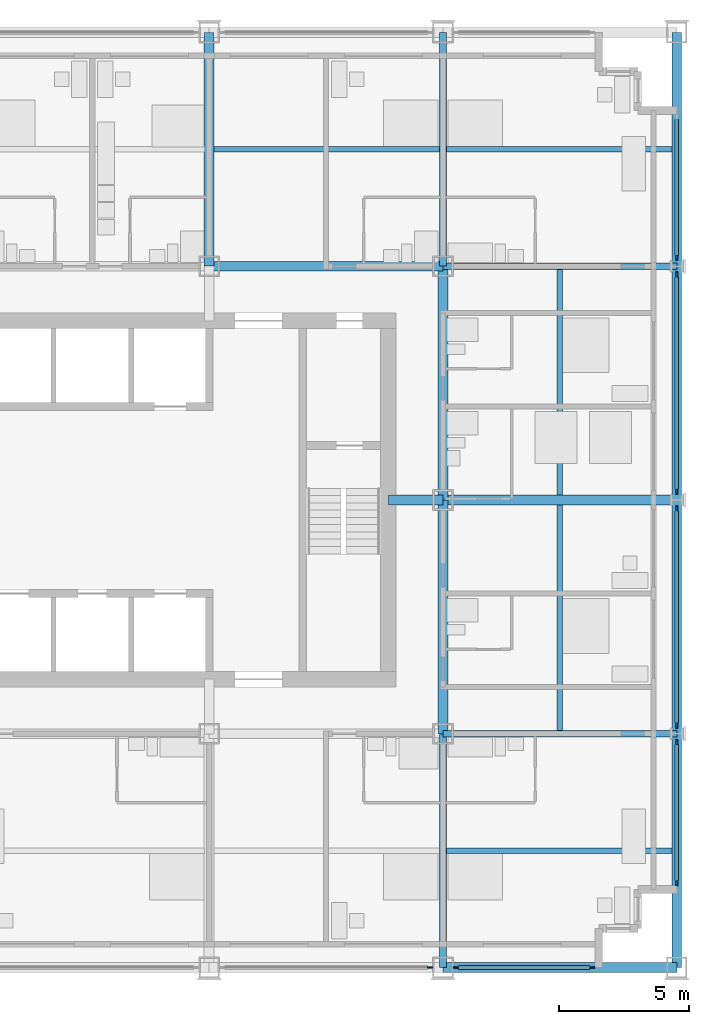
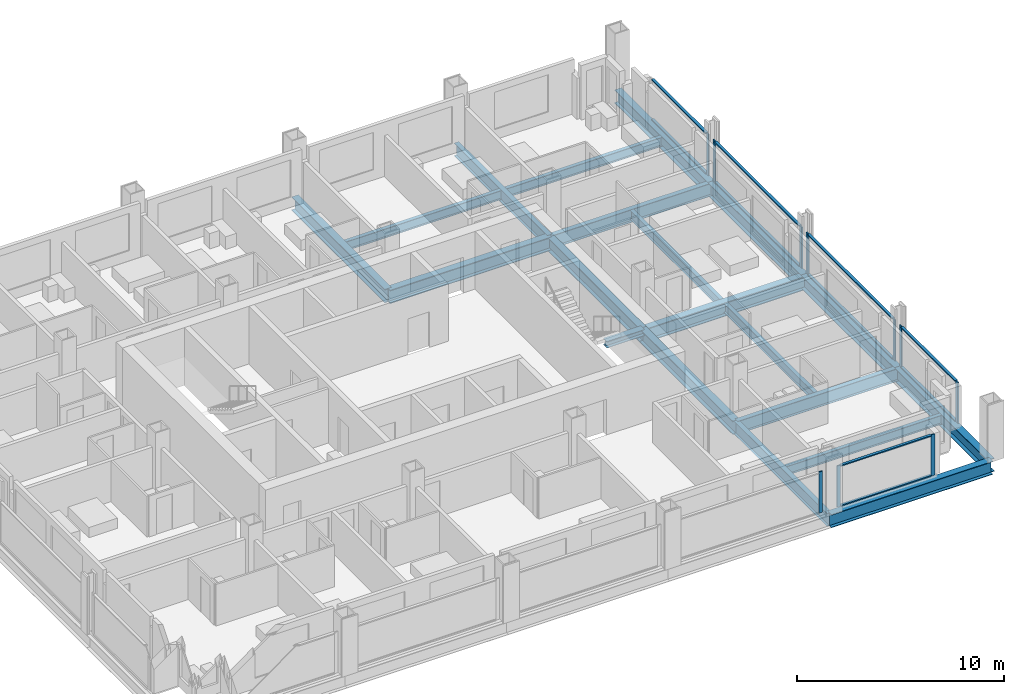
# One storey, part 5 of 17: 21 members, 19 beams, 6 elements without a shape of their own.
"""IFC4 building model written with IfcOpenShell, lengths in metres."""

import ifcopenshell
import ifcopenshell.guid

model = None  # the IFC model being written
_history = None  # IfcOwnerHistory: only IFC2X3 demands one
_inside = {}  # id of a spatial element -> (the spatial element, [elements in it])
_under = {}  # id of a project, library or spatial element -> (it, [spatial elements below it])
_declared = {}  # id of a project -> (the project, [libraries it declares])
_typed = {}  # id of a type object -> (the type object, [elements of that type])
_made_of = {}  # id of a material, layer set ... -> (it, [elements and type objects made of it])


def new_model(schema):
    """Start an empty IFC model of exactly this schema.

    Asked for "IFC4X3", IfcOpenShell would pick the latest addendum, in which some entities
    have other attributes; the version numbers below select the first issue.
    IFC2X3 requires an IfcOwnerHistory on every rooted entity: one is made here for all.
    """
    global model, _history
    if schema == "IFC4X3":
        model = ifcopenshell.file(schema_version=(4, 3, 0, 0))
    else:
        model = ifcopenshell.file(schema=schema)
    _inside.clear()
    _under.clear()
    _declared.clear()
    _typed.clear()
    _made_of.clear()
    _history = None
    if model.schema == "IFC2X3":
        org = make("IfcOrganization", Name="unknown")
        user = make(
            "IfcPersonAndOrganization",
            ThePerson=make("IfcPerson", FamilyName="unknown"),
            TheOrganization=org,
        )
        app = make(
            "IfcApplication",
            ApplicationDeveloper=org,
            Version="unknown",
            ApplicationFullName="unknown",
            ApplicationIdentifier="unknown",
        )
        _history = make(
            "IfcOwnerHistory",
            OwningUser=user,
            OwningApplication=app,
            ChangeAction="ADDED",
            CreationDate=0,
        )
    return model


def make(cls, **values):
    """One entity of the class cls with the attributes given. An attribute that is None is left unset."""
    return model.create_entity(
        cls, **{name: value for name, value in values.items() if value is not None}
    )


def rooted(cls, **values):
    """An entity with a GlobalId (a new one), such as an element, a storey or a relation."""
    return make(cls, GlobalId=ifcopenshell.guid.new(), OwnerHistory=_history, **values)


def si_unit(unit_type, name, prefix=None):
    """IfcSIUnit, for example si_unit("LENGTHUNIT", "METRE", prefix="MILLI")."""
    return make("IfcSIUnit", UnitType=unit_type, Prefix=prefix, Name=name)


def assignment(units):
    """IfcUnitAssignment: the units of a project."""
    return None if units is None else make("IfcUnitAssignment", Units=units)


def point(xyz):
    """IfcCartesianPoint."""
    return None if xyz is None else make("IfcCartesianPoint", Coordinates=xyz)


def direction(xyz):
    """IfcDirection."""
    return None if xyz is None else make("IfcDirection", DirectionRatios=xyz)


def frame(location, z_axis=None, x_axis=None):
    """IfcAxis2Placement3D, a coordinate frame: its origin and axes. An axis left out is left unset."""
    return make(
        "IfcAxis2Placement3D",
        Location=point(location),
        Axis=direction(z_axis),
        RefDirection=direction(x_axis),
    )


def frame_2d(location, x_axis=None):
    """IfcAxis2Placement2D, a coordinate frame in the plane: its origin and x axis."""
    return make(
        "IfcAxis2Placement2D", Location=point(location), RefDirection=direction(x_axis)
    )


def origin():
    """The frame at (0, 0, 0) with its axes left unset."""
    return frame((0.0, 0.0, 0.0))


def origin_2d():
    """The frame at (0, 0) in the plane with its x axis left unset."""
    return frame_2d((0.0, 0.0))


def place(relative_to, where):
    """IfcLocalPlacement: puts the frame where relative to a parent placement (None: the world)."""
    return make(
        "IfcLocalPlacement", PlacementRelTo=relative_to, RelativePlacement=where
    )


def context(
    kind, dimensions, precision=None, world=None, true_north=None, identifier=None
):
    """IfcGeometricRepresentationContext, for example the 3D "Model" context."""
    return make(
        "IfcGeometricRepresentationContext",
        ContextIdentifier=identifier,
        ContextType=kind,
        CoordinateSpaceDimension=dimensions,
        Precision=precision,
        WorldCoordinateSystem=world,
        TrueNorth=true_north,
    )


def subcontext(parent, identifier, kind, view, scale=None):
    """IfcGeometricRepresentationSubContext, for example "Body" below "Model"."""
    return make(
        "IfcGeometricRepresentationSubContext",
        ContextIdentifier=identifier,
        ContextType=kind,
        ParentContext=parent,
        TargetScale=scale,
        TargetView=view,
    )


def project(units=None, contexts=None):
    """IfcProject with its units and contexts."""
    return rooted(
        "IfcProject",
        Name="project",
        RepresentationContexts=contexts,
        UnitsInContext=assignment(units),
    )


def spatial(cls, under=None, at=None, **own):
    """A site, building, storey or space (cls), placed at a placement, below another one or the project."""
    s = rooted(cls, ObjectPlacement=at, **own)
    if under is not None:
        _under.setdefault(under.id(), (under, []))[1].append(s)
    return s


def profile(cls, at=None, kind="AREA", **sizes):
    """A parametric profile (cls). Its sizes go by their IFC names, for example OverallWidth=200.0."""
    return make(cls, ProfileType=kind, Position=at, **sizes)


def rectangle(**sizes):
    """IfcRectangleProfileDef."""
    return profile("IfcRectangleProfileDef", **sizes)


def i_section(**sizes):
    """IfcIShapeProfileDef."""
    return profile("IfcIShapeProfileDef", **sizes)


def extrude(swept, where, along, depth):
    """IfcExtrudedAreaSolid: the profile swept, set in the frame where, extruded along a direction by depth."""
    return make(
        "IfcExtrudedAreaSolid",
        SweptArea=swept,
        Position=where,
        ExtrudedDirection=direction(along),
        Depth=depth,
    )


def shape(context_of_items, identifier, shape_type, items):
    """IfcShapeRepresentation: the items that make up one representation, for example the "Body"."""
    return make(
        "IfcShapeRepresentation",
        ContextOfItems=context_of_items,
        RepresentationIdentifier=identifier,
        RepresentationType=shape_type,
        Items=items,
    )


def material(Name=None, Category=None):
    """IfcMaterial."""
    return make("IfcMaterial", Name=Name, Category=Category)


def material_profile(
    of_material, cross_section, Name=None, Category=None, Priority=None
):
    """IfcMaterialProfile: a cross section and its material."""
    return make(
        "IfcMaterialProfile",
        Name=Name,
        Material=of_material,
        Profile=cross_section,
        Priority=Priority,
        Category=Category,
    )


def profile_set(profiles, Name=None, composite=None):
    """IfcMaterialProfileSet."""
    return make(
        "IfcMaterialProfileSet",
        Name=Name,
        MaterialProfiles=profiles,
        CompositeProfile=composite,
    )


def made_of(thing, what):
    """Note that an element or type object is made of a material, layer set ...; save() writes the relation."""
    if what is not None:
        _made_of.setdefault(what.id(), (what, []))[1].append(thing)
    return thing


def type_object(cls, material=None, **own):
    """A type object (cls), such as IfcWallType, which elements share."""
    return made_of(rooted(cls, **own), material)


def element(
    cls,
    number,
    at=None,
    inside=None,
    cuts=None,
    type_object=None,
    material=None,
    context=None,
    identifier="Body",
    shape_type=None,
    held_by="IfcProductDefinitionShape",
    body=None,
    shapes=None,
    **own,
):
    """One element of the class cls, such as IfcWall. Its Tag is "e" and its number.

    at: its placement. inside: the storey or other place that contains it. cuts: it is an
    opening in that element (IfcRelVoidsElement). A single representation is given by context,
    identifier, shape_type and body (its items); several are given by shapes. held_by: the class
    of the entity that holds the representations. save() writes the other relations.
    """
    e = rooted(cls, Tag="e%d" % number, ObjectPlacement=at, **own)
    if body is not None:
        shapes = [shape(context, identifier, shape_type, body)]
    if shapes is not None:
        e.Representation = make(held_by, Representations=shapes)
    if inside is not None:
        _inside.setdefault(inside.id(), (inside, []))[1].append(e)
    if cuts is not None:
        rooted(
            "IfcRelVoidsElement", RelatingBuildingElement=cuts, RelatedOpeningElement=e
        )
    if type_object is not None:
        _typed.setdefault(type_object.id(), (type_object, []))[1].append(e)
    return made_of(e, material)


def aggregate(whole, parts):
    """IfcRelAggregates: a whole, such as a stair, and the parts it consists of."""
    return rooted("IfcRelAggregates", RelatingObject=whole, RelatedObjects=parts)


def save(model, path):
    """Write the relations noted so far, then the file.

    IfcRelAggregates (storeys below a building ...), IfcRelContainedInSpatialStructure (elements
    in a storey), IfcRelDefinesByType, IfcRelAssociatesMaterial and IfcRelDeclares: one each for
    every whole, place, type object, material and project.
    """
    for whole, parts in _under.values():
        aggregate(whole, parts)
    for where, things in _inside.values():
        rooted(
            "IfcRelContainedInSpatialStructure",
            RelatedElements=things,
            RelatingStructure=where,
        )
    for kind, things in _typed.values():
        rooted("IfcRelDefinesByType", RelatedObjects=things, RelatingType=kind)
    for what, things in _made_of.values():
        rooted("IfcRelAssociatesMaterial", RelatedObjects=things, RelatingMaterial=what)
    for by, libraries in _declared.values():
        rooted("IfcRelDeclares", RelatingContext=by, RelatedDefinitions=libraries)
    model.write(path)


model = new_model("IFC4")

# Units and contexts
model_context = context("Model", 3, precision=1e-05, world=origin(), true_north=direction((0.0, 1.0)))
body_context = subcontext(model_context, "Body", "Model", "MODEL_VIEW")
ifc_project = project(units=[si_unit("LENGTHUNIT", "METRE"), si_unit("AREAUNIT", "SQUARE_METRE"), si_unit("VOLUMEUNIT", "CUBIC_METRE"), si_unit("PLANEANGLEUNIT", "RADIAN"), si_unit("MASSUNIT", "GRAM", prefix="KILO")], contexts=[model_context])

# Site, building, storey
site_placement = place(None, origin())
site = spatial("IfcSite", under=ifc_project, at=site_placement, CompositionType="ELEMENT")
building_placement = place(site_placement, origin())
building = spatial("IfcBuilding", under=site, at=building_placement, Name="Loomwork Tower", CompositionType="ELEMENT")
storey_placement = place(building_placement, frame((0.0, 0.0, 141.800048828125)))
storey = spatial("IfcBuildingStorey", under=building, at=storey_placement, Name="L38", CompositionType="ELEMENT", Elevation=141.800048828125)

# Beams
ifc_material_1 = material(Name="Steel ASTM A992", Category="steel")
ifc_material_profile_1 = material_profile(ifc_material_1, i_section(OverallWidth=0.383544921875, OverallDepth=0.794921875, WebThickness=0.02099609375, FlangeThickness=0.0380859375, at=origin_2d()), Name="W30x235")
ifc_profile_set_1 = profile_set([ifc_material_profile_1], Name="Steel ASTM A992")
beam_type_1 = type_object("IfcBeamType", Name="CORE FLANK GIRDER W30x235", PredefinedType="BEAM", material=ifc_profile_set_1)
for number, where, z_axis, x_axis, name in (
    (1, (36.0, 18.0, -0.59765625), (1.0, 0.0, 0.0), (0.0, 1.0, 0.0), "Core Flank Girder F/6-F/7 L38"),
    (2, (27.0, 27.0, -0.59765625), (1.0, 0.0, 0.0), (0.0, 1.0, 0.0), "Core Flank Girder G/5-G/6 L38"),
    (3, (27.0, 27.0, -0.59765625), (0.0, 1.0, 0.0), (-1.0, 0.0, 0.0), "Core Flank Girder G/5-H/5 L38"),
    (4, (36.0, 9.0, -0.59765625), (0.0, 1.0, 0.0), (-1.0, 0.0, 0.0), "Core Flank Girder E/6-F/6 L38"),
    (5, (36.0, 18.0, -0.59765625), (0.0, 1.0, 0.0), (-1.0, 0.0, 0.0), "Core Flank Girder F/6-G/6 L38"),
):
    element("IfcBeam", number, at=place(storey_placement, frame(where, z_axis=z_axis, x_axis=x_axis)), inside=storey, type_object=beam_type_1, Name=name, PredefinedType="BEAM", context=body_context, shape_type="SweptSolid", body=[
        extrude(i_section(OverallWidth=0.383544921875, OverallDepth=0.794921875, WebThickness=0.02099609375, FlangeThickness=0.0380859375, at=origin_2d()), origin(), (0.0, 0.0, 1.0), 9.0),
    ])

# Member
ifc_material_2 = material(Name="Steel ASTM A992", Category="steel")
ifc_material_profile_2 = material_profile(ifc_material_2, i_section(OverallWidth=0.373291015625, OverallDepth=0.373291015625, WebThickness=0.016357421875, FlangeThickness=0.026123046875, at=origin_2d()), Name="W14x132")
ifc_profile_set_2 = profile_set([ifc_material_profile_2], Name="Steel ASTM A992")
member_type_1 = type_object("IfcMemberType", Name="CORE LINK STRUT W14x132", PredefinedType="STRUT", material=ifc_profile_set_2)
member_1_placement = place(storey_placement, frame((36.0, 18.0, -0.38671875), z_axis=(-1.0, 0.0, 0.0), x_axis=(0.0, -1.0, 0.0)))
element("IfcMember", 6, at=member_1_placement, inside=storey, type_object=member_type_1, Name="Core link strut F/6-33.900,18.000 L38", PredefinedType="STRUT", context=body_context, shape_type="SweptSolid", body=[
    extrude(i_section(OverallWidth=0.373291015625, OverallDepth=0.373291015625, WebThickness=0.016357421875, FlangeThickness=0.026123046875, at=origin_2d()), origin(), (0.0, 0.0, 1.0), 2.10009765625),
])

# Beams
ifc_material_3 = material(Name="Steel ASTM A992", Category="steel")
ifc_material_profile_3 = material_profile(ifc_material_3, i_section(OverallWidth=0.2666015625, OverallDepth=0.761962890625, WebThickness=0.014404296875, FlangeThickness=0.021484375, at=origin_2d()), Name="W30x116")
ifc_profile_set_3 = profile_set([ifc_material_profile_3], Name="Steel ASTM A992")
beam_type_2 = type_object("IfcBeamType", Name="FLOOR GIRDER W30x116", PredefinedType="BEAM", material=ifc_profile_set_3)
for number, where, z_axis, x_axis, name in (
    (7, (36.0, 9.0, -0.5810546875), (1.0, 0.0, 0.0), (0.0, 1.0, 0.0), "Floor Girder E/6-E/7 L38"),
    (8, (36.0, 27.0, -0.5810546875), (1.0, 0.0, 0.0), (0.0, 1.0, 0.0), "Floor Girder G/6-G/7 L38"),
    (9, (36.0, 0.0, -0.5810546875), (0.0, 1.0, 0.0), (-1.0, 0.0, 0.0), "Floor Girder D/6-E/6 L38"),
    (10, (36.0, 27.0, -0.5810546875), (0.0, 1.0, 0.0), (-1.0, 0.0, 0.0), "Floor Girder G/6-H/6 L38"),
):
    element("IfcBeam", number, at=place(storey_placement, frame(where, z_axis=z_axis, x_axis=x_axis)), inside=storey, type_object=beam_type_2, Name=name, PredefinedType="BEAM", context=body_context, shape_type="SweptSolid", body=[
        extrude(i_section(OverallWidth=0.2666015625, OverallDepth=0.761962890625, WebThickness=0.014404296875, FlangeThickness=0.021484375, at=origin_2d()), origin(), (0.0, 0.0, 1.0), 9.0),
    ])
ifc_material_4 = material(Name="Steel ASTM A992", Category="steel")
ifc_material_profile_4 = material_profile(ifc_material_4, i_section(OverallWidth=0.2109375, OverallDepth=0.53857421875, WebThickness=0.011474609375, FlangeThickness=0.018798828125, at=origin_2d()), Name="W21x73")
ifc_profile_set_4 = profile_set([ifc_material_profile_4], Name="Steel ASTM A992")
beam_type_3 = type_object("IfcBeamType", Name="FLOOR JOIST W21x73", PredefinedType="JOIST", material=ifc_profile_set_4)
beam_1_placement = place(storey_placement, frame((27.19091796875, 31.5, -0.46923828125), z_axis=(1.0, 0.0, 0.0), x_axis=(0.0, 1.0, 0.0)))
element("IfcBeam", 11, at=beam_1_placement, inside=storey, type_object=beam_type_3, Name="Floor Joist 27.000,31.500-36.000,31.500 L38", PredefinedType="JOIST", context=body_context, shape_type="SweptSolid", body=[
    extrude(i_section(OverallWidth=0.2109375, OverallDepth=0.53857421875, WebThickness=0.011474609375, FlangeThickness=0.018798828125, at=origin_2d()), origin(), (0.0, 0.0, 1.0), 8.676025390625),
])
beam_2_placement = place(storey_placement, frame((36.133056640625, 4.5, -0.46923828125), z_axis=(1.0, 0.0, 0.0), x_axis=(0.0, 1.0, 0.0)))
element("IfcBeam", 12, at=beam_2_placement, inside=storey, type_object=beam_type_3, Name="Floor Joist 36.000,4.500-45.000,4.500 L38", PredefinedType="JOIST", context=body_context, shape_type="SweptSolid", body=[
    extrude(i_section(OverallWidth=0.2109375, OverallDepth=0.53857421875, WebThickness=0.011474609375, FlangeThickness=0.018798828125, at=origin_2d()), origin(), (0.0, 0.0, 1.0), 8.677001953125),
])
for number, where, z_axis, x_axis, name in (
    (13, (40.5, 9.133056640625, -0.46923828125), (0.0, 1.0, 0.0), (-1.0, 0.0, 0.0), "Floor Joist 40.500,9.000-40.500,18.000 L38"),
    (14, (40.5, 18.19091796875, -0.46923828125), (0.0, 1.0, 0.0), (-1.0, 0.0, 0.0), "Floor Joist 40.500,18.000-40.500,27.000 L38"),
):
    element("IfcBeam", number, at=place(storey_placement, frame(where, z_axis=z_axis, x_axis=x_axis)), inside=storey, type_object=beam_type_3, Name=name, PredefinedType="JOIST", context=body_context, shape_type="SweptSolid", body=[
        extrude(i_section(OverallWidth=0.2109375, OverallDepth=0.53857421875, WebThickness=0.011474609375, FlangeThickness=0.018798828125, at=origin_2d()), origin(), (0.0, 0.0, 1.0), 8.676025390625),
    ])
beam_3_placement = place(storey_placement, frame((36.133056640625, 31.5, -0.46923828125), z_axis=(1.0, 0.0, 0.0), x_axis=(0.0, 1.0, 0.0)))
element("IfcBeam", 15, at=beam_3_placement, inside=storey, type_object=beam_type_3, Name="Floor Joist 36.000,31.500-45.000,31.500 L38", PredefinedType="JOIST", context=body_context, shape_type="SweptSolid", body=[
    extrude(i_section(OverallWidth=0.2109375, OverallDepth=0.53857421875, WebThickness=0.011474609375, FlangeThickness=0.018798828125, at=origin_2d()), origin(), (0.0, 0.0, 1.0), 8.677001953125),
])

# Curtain wall, member
ifc_material_5 = material(Name="Aluminium curtain wall frame", Category="aluminium")
curtain_wall_type = type_object("IfcCurtainWallType", Name="Outer skin glazing hotel", PredefinedType="NOTDEFINED", material=ifc_material_5)
curtain_wall_1_placement = place(storey_placement, origin())
curtain_wall_1 = element("IfcCurtainWall", 16, at=curtain_wall_1_placement, inside=storey, type_object=curtain_wall_type, Name="Outer skin glazing hotel cw/S-27", PredefinedType="NOTDEFINED")
ifc_material_6 = material(Name="Aluminium curtain wall frame", Category="aluminium")
ifc_material_profile_5 = material_profile(ifc_material_6, rectangle(XDim=0.06494140625, YDim=0.199951171875, at=origin_2d()), Name="AL 65x200")
ifc_profile_set_5 = profile_set([ifc_material_profile_5], Name="Aluminium curtain wall frame")
member_type_2 = type_object("IfcMemberType", Name="Outer skin glazing hotel mullion", PredefinedType="MULLION", material=ifc_profile_set_5)
member_2_placement = place(storey_placement, frame((35.5, 0.0, 0.0), z_axis=(0.0, 0.0, 1.0), x_axis=(0.0, 1.0, 0.0)))
member_2 = element("IfcMember", 17, at=member_2_placement, type_object=member_type_2, Name="CW1 mullion 2", PredefinedType="MULLION", context=body_context, shape_type="SweptSolid", body=[
    extrude(rectangle(XDim=0.06494140625, YDim=0.199951171875, at=origin_2d()), origin(), (0.0, 0.0, 1.0), 2.420166015625),
])
aggregate(curtain_wall_1, [member_2])

# Curtain wall, members
curtain_wall_2_placement = place(storey_placement, origin())
curtain_wall_2 = element("IfcCurtainWall", 18, at=curtain_wall_2_placement, inside=storey, type_object=curtain_wall_type, Name="Outer skin glazing hotel cw/S-36", PredefinedType="NOTDEFINED")
member_3_placement = place(storey_placement, frame((36.5, 0.0, 0.0), z_axis=(0.0, 0.0, 1.0), x_axis=(0.0, 1.0, 0.0)))
member_3 = element("IfcMember", 19, at=member_3_placement, type_object=member_type_2, Name="CW1 mullion 1", PredefinedType="MULLION", context=body_context, shape_type="SweptSolid", body=[
    extrude(rectangle(XDim=0.06494140625, YDim=0.199951171875, at=origin_2d()), origin(), (0.0, 0.0, 1.0), 2.420166015625),
])
member_4_placement = place(storey_placement, frame((41.75, 0.0, 0.0), z_axis=(0.0, 0.0, 1.0), x_axis=(0.0, 1.0, 0.0)))
member_4 = element("IfcMember", 20, at=member_4_placement, type_object=member_type_2, Name="CW1 mullion 2", PredefinedType="MULLION", context=body_context, shape_type="SweptSolid", body=[
    extrude(rectangle(XDim=0.06494140625, YDim=0.199951171875, at=origin_2d()), origin(), (0.0, 0.0, 1.0), 2.420166015625),
])

curtain_wall_3_placement = place(storey_placement, origin())
curtain_wall_3 = element("IfcCurtainWall", 21, at=curtain_wall_3_placement, inside=storey, type_object=curtain_wall_type, Name="Outer skin glazing hotel cw/E-0", PredefinedType="NOTDEFINED")
member_5_placement = place(storey_placement, frame((45.0, 3.25, 0.0), z_axis=(0.0, 0.0, 1.0), x_axis=(-1.0, 0.0, 0.0)))
member_5 = element("IfcMember", 22, at=member_5_placement, type_object=member_type_2, Name="CW1 mullion 1", PredefinedType="MULLION", context=body_context, shape_type="SweptSolid", body=[
    extrude(rectangle(XDim=0.06494140625, YDim=0.199951171875, at=origin_2d()), origin(), (0.0, 0.0, 1.0), 2.420166015625),
])
member_6_placement = place(storey_placement, frame((45.0, 8.678955078125, 0.0), z_axis=(0.0, 0.0, 1.0), x_axis=(-1.0, 0.0, 0.0)))
member_6 = element("IfcMember", 23, at=member_6_placement, type_object=member_type_2, Name="CW1 mullion 2", PredefinedType="MULLION", context=body_context, shape_type="SweptSolid", body=[
    extrude(rectangle(XDim=0.06494140625, YDim=0.199951171875, at=origin_2d()), origin(), (0.0, 0.0, 1.0), 2.420166015625),
])

curtain_wall_4_placement = place(storey_placement, origin())
curtain_wall_4 = element("IfcCurtainWall", 24, at=curtain_wall_4_placement, inside=storey, type_object=curtain_wall_type, Name="Outer skin glazing hotel cw/E-9", PredefinedType="NOTDEFINED")
member_7_placement = place(storey_placement, frame((45.0, 9.321044921875, 0.0), z_axis=(0.0, 0.0, 1.0), x_axis=(-1.0, 0.0, 0.0)))
member_7 = element("IfcMember", 25, at=member_7_placement, type_object=member_type_2, Name="CW1 mullion 1", PredefinedType="MULLION", context=body_context, shape_type="SweptSolid", body=[
    extrude(rectangle(XDim=0.06494140625, YDim=0.199951171875, at=origin_2d()), origin(), (0.0, 0.0, 1.0), 2.420166015625),
])
member_8_placement = place(storey_placement, frame((45.0, 17.678955078125, 0.0), z_axis=(0.0, 0.0, 1.0), x_axis=(-1.0, 0.0, 0.0)))
member_8 = element("IfcMember", 26, at=member_8_placement, type_object=member_type_2, Name="CW1 mullion 2", PredefinedType="MULLION", context=body_context, shape_type="SweptSolid", body=[
    extrude(rectangle(XDim=0.06494140625, YDim=0.199951171875, at=origin_2d()), origin(), (0.0, 0.0, 1.0), 2.420166015625),
])

curtain_wall_5_placement = place(storey_placement, origin())
curtain_wall_5 = element("IfcCurtainWall", 27, at=curtain_wall_5_placement, inside=storey, type_object=curtain_wall_type, Name="Outer skin glazing hotel cw/E-18", PredefinedType="NOTDEFINED")
member_9_placement = place(storey_placement, frame((45.0, 18.321044921875, 0.0), z_axis=(0.0, 0.0, 1.0), x_axis=(-1.0, 0.0, 0.0)))
member_9 = element("IfcMember", 28, at=member_9_placement, type_object=member_type_2, Name="CW1 mullion 1", PredefinedType="MULLION", context=body_context, shape_type="SweptSolid", body=[
    extrude(rectangle(XDim=0.06494140625, YDim=0.199951171875, at=origin_2d()), origin(), (0.0, 0.0, 1.0), 2.420166015625),
])
member_10_placement = place(storey_placement, frame((45.0, 26.678955078125, 0.0), z_axis=(0.0, 0.0, 1.0), x_axis=(-1.0, 0.0, 0.0)))
member_10 = element("IfcMember", 29, at=member_10_placement, type_object=member_type_2, Name="CW1 mullion 2", PredefinedType="MULLION", context=body_context, shape_type="SweptSolid", body=[
    extrude(rectangle(XDim=0.06494140625, YDim=0.199951171875, at=origin_2d()), origin(), (0.0, 0.0, 1.0), 2.420166015625),
])

# Curtain wall, member
curtain_wall_6_placement = place(storey_placement, origin())
curtain_wall_6 = element("IfcCurtainWall", 30, at=curtain_wall_6_placement, inside=storey, type_object=curtain_wall_type, Name="Outer skin glazing hotel cw/E-27", PredefinedType="NOTDEFINED")
member_11_placement = place(storey_placement, frame((45.0, 27.321044921875, 0.0), z_axis=(0.0, 0.0, 1.0), x_axis=(-1.0, 0.0, 0.0)))
member_11 = element("IfcMember", 31, at=member_11_placement, type_object=member_type_2, Name="CW1 mullion 1", PredefinedType="MULLION", context=body_context, shape_type="SweptSolid", body=[
    extrude(rectangle(XDim=0.06494140625, YDim=0.199951171875, at=origin_2d()), origin(), (0.0, 0.0, 1.0), 2.420166015625),
])

# Member
ifc_material_7 = material(Name="Aluminium curtain wall frame", Category="aluminium")
ifc_material_profile_6 = material_profile(ifc_material_7, rectangle(XDim=0.14990234375, YDim=0.06494140625, at=origin_2d()), Name="AL 65x150")
ifc_profile_set_6 = profile_set([ifc_material_profile_6], Name="Aluminium curtain wall frame")
member_type_3 = type_object("IfcMemberType", Name="Outer skin glazing hotel transom", PredefinedType="USERDEFINED", material=ifc_profile_set_6)
member_12_placement = place(storey_placement, frame((36.60009765625, 0.0, 0.032470703125), z_axis=(1.0, 0.0, 0.0), x_axis=(0.0, 1.0, 0.0)))
member_12 = element("IfcMember", 32, at=member_12_placement, type_object=member_type_3, Name="CW1 transom 1.1", ObjectType="TRANSOM", PredefinedType="USERDEFINED", context=body_context, shape_type="SweptSolid", body=[
    extrude(rectangle(XDim=0.14990234375, YDim=0.06494140625, at=origin_2d()), origin(), (0.0, 0.0, 1.0), 5.0498046875),
])

member_13_placement = place(storey_placement, frame((36.60009765625, 0.0, 2.3876953125), z_axis=(1.0, 0.0, 0.0), x_axis=(0.0, 1.0, 0.0)))
member_13 = element("IfcMember", 33, at=member_13_placement, type_object=member_type_3, Name="CW1 transom 1.2", ObjectType="TRANSOM", PredefinedType="USERDEFINED", context=body_context, shape_type="SweptSolid", body=[
    extrude(rectangle(XDim=0.14990234375, YDim=0.06494140625, at=origin_2d()), origin(), (0.0, 0.0, 1.0), 5.0498046875),
])

aggregate(curtain_wall_2, [member_3, member_4, member_12, member_13])

member_14_placement = place(storey_placement, frame((45.0, 3.35009765625, 0.032470703125), z_axis=(0.0, 1.0, 0.0), x_axis=(-1.0, 0.0, 0.0)))
member_14 = element("IfcMember", 34, at=member_14_placement, type_object=member_type_3, Name="CW1 transom 1.1", ObjectType="TRANSOM", PredefinedType="USERDEFINED", context=body_context, shape_type="SweptSolid", body=[
    extrude(rectangle(XDim=0.14990234375, YDim=0.06494140625, at=origin_2d()), origin(), (0.0, 0.0, 1.0), 5.22900390625),
])

member_15_placement = place(storey_placement, frame((45.0, 3.35009765625, 2.3876953125), z_axis=(0.0, 1.0, 0.0), x_axis=(-1.0, 0.0, 0.0)))
member_15 = element("IfcMember", 35, at=member_15_placement, type_object=member_type_3, Name="CW1 transom 1.2", ObjectType="TRANSOM", PredefinedType="USERDEFINED", context=body_context, shape_type="SweptSolid", body=[
    extrude(rectangle(XDim=0.14990234375, YDim=0.06494140625, at=origin_2d()), origin(), (0.0, 0.0, 1.0), 5.22900390625),
])

aggregate(curtain_wall_3, [member_5, member_6, member_14, member_15])

member_16_placement = place(storey_placement, frame((45.0, 9.4208984375, 0.032470703125), z_axis=(0.0, 1.0, 0.0), x_axis=(-1.0, 0.0, 0.0)))
member_16 = element("IfcMember", 36, at=member_16_placement, type_object=member_type_3, Name="CW1 transom 1.1", ObjectType="TRANSOM", PredefinedType="USERDEFINED", context=body_context, shape_type="SweptSolid", body=[
    extrude(rectangle(XDim=0.14990234375, YDim=0.06494140625, at=origin_2d()), origin(), (0.0, 0.0, 1.0), 8.158203125),
])

member_17_placement = place(storey_placement, frame((45.0, 9.4208984375, 2.3876953125), z_axis=(0.0, 1.0, 0.0), x_axis=(-1.0, 0.0, 0.0)))
member_17 = element("IfcMember", 37, at=member_17_placement, type_object=member_type_3, Name="CW1 transom 1.2", ObjectType="TRANSOM", PredefinedType="USERDEFINED", context=body_context, shape_type="SweptSolid", body=[
    extrude(rectangle(XDim=0.14990234375, YDim=0.06494140625, at=origin_2d()), origin(), (0.0, 0.0, 1.0), 8.158203125),
])

aggregate(curtain_wall_4, [member_7, member_8, member_16, member_17])

member_18_placement = place(storey_placement, frame((45.0, 18.4208984375, 0.032470703125), z_axis=(0.0, 1.0, 0.0), x_axis=(-1.0, 0.0, 0.0)))
member_18 = element("IfcMember", 38, at=member_18_placement, type_object=member_type_3, Name="CW1 transom 1.1", ObjectType="TRANSOM", PredefinedType="USERDEFINED", context=body_context, shape_type="SweptSolid", body=[
    extrude(rectangle(XDim=0.14990234375, YDim=0.06494140625, at=origin_2d()), origin(), (0.0, 0.0, 1.0), 8.158203125),
])

member_19_placement = place(storey_placement, frame((45.0, 18.4208984375, 2.3876953125), z_axis=(0.0, 1.0, 0.0), x_axis=(-1.0, 0.0, 0.0)))
member_19 = element("IfcMember", 39, at=member_19_placement, type_object=member_type_3, Name="CW1 transom 1.2", ObjectType="TRANSOM", PredefinedType="USERDEFINED", context=body_context, shape_type="SweptSolid", body=[
    extrude(rectangle(XDim=0.14990234375, YDim=0.06494140625, at=origin_2d()), origin(), (0.0, 0.0, 1.0), 8.158203125),
])

aggregate(curtain_wall_5, [member_9, member_10, member_18, member_19])

member_20_placement = place(storey_placement, frame((45.0, 27.4208984375, 0.032470703125), z_axis=(0.0, 1.0, 0.0), x_axis=(-1.0, 0.0, 0.0)))
member_20 = element("IfcMember", 40, at=member_20_placement, type_object=member_type_3, Name="CW1 transom 1.1", ObjectType="TRANSOM", PredefinedType="USERDEFINED", context=body_context, shape_type="SweptSolid", body=[
    extrude(rectangle(XDim=0.14990234375, YDim=0.06494140625, at=origin_2d()), origin(), (0.0, 0.0, 1.0), 5.22900390625),
])

member_21_placement = place(storey_placement, frame((45.0, 27.4208984375, 2.3876953125), z_axis=(0.0, 1.0, 0.0), x_axis=(-1.0, 0.0, 0.0)))
member_21 = element("IfcMember", 41, at=member_21_placement, type_object=member_type_3, Name="CW1 transom 1.2", ObjectType="TRANSOM", PredefinedType="USERDEFINED", context=body_context, shape_type="SweptSolid", body=[
    extrude(rectangle(XDim=0.14990234375, YDim=0.06494140625, at=origin_2d()), origin(), (0.0, 0.0, 1.0), 5.22900390625),
])

aggregate(curtain_wall_6, [member_11, member_20, member_21])

# Beams
ifc_material_8 = material(Name="Steel ASTM A992", Category="steel")
ifc_material_profile_7 = material_profile(ifc_material_8, i_section(OverallWidth=0.381103515625, OverallDepth=0.77978515625, WebThickness=0.01806640625, FlangeThickness=0.0302734375, at=origin_2d()), Name="W30x191")
ifc_profile_set_7 = profile_set([ifc_material_profile_7], Name="Steel ASTM A992")
beam_type_4 = type_object("IfcBeamType", Name="SPANDREL GIRDER W30x191", PredefinedType="SPANDREL", material=ifc_profile_set_7)
for number, where, z_axis, x_axis, name in (
    (42, (36.0, 0.0, -0.58984375), (1.0, 0.0, 0.0), (0.0, 1.0, 0.0), "Spandrel Girder D/6-D/7 L38"),
    (43, (45.0, 0.0, -0.58984375), (0.0, 1.0, 0.0), (-1.0, 0.0, 0.0), "Spandrel Girder D/7-E/7 L38"),
    (44, (45.0, 9.0, -0.58984375), (0.0, 1.0, 0.0), (-1.0, 0.0, 0.0), "Spandrel Girder E/7-F/7 L38"),
    (45, (45.0, 18.0, -0.58984375), (0.0, 1.0, 0.0), (-1.0, 0.0, 0.0), "Spandrel Girder F/7-G/7 L38"),
    (46, (45.0, 27.0, -0.58984375), (0.0, 1.0, 0.0), (-1.0, 0.0, 0.0), "Spandrel Girder G/7-H/7 L38"),
):
    element("IfcBeam", number, at=place(storey_placement, frame(where, z_axis=z_axis, x_axis=x_axis)), inside=storey, type_object=beam_type_4, Name=name, PredefinedType="SPANDREL", context=body_context, shape_type="SweptSolid", body=[
        extrude(i_section(OverallWidth=0.381103515625, OverallDepth=0.77978515625, WebThickness=0.01806640625, FlangeThickness=0.0302734375, at=origin_2d()), origin(), (0.0, 0.0, 1.0), 9.0),
    ])

save(model, "model.ifc")
